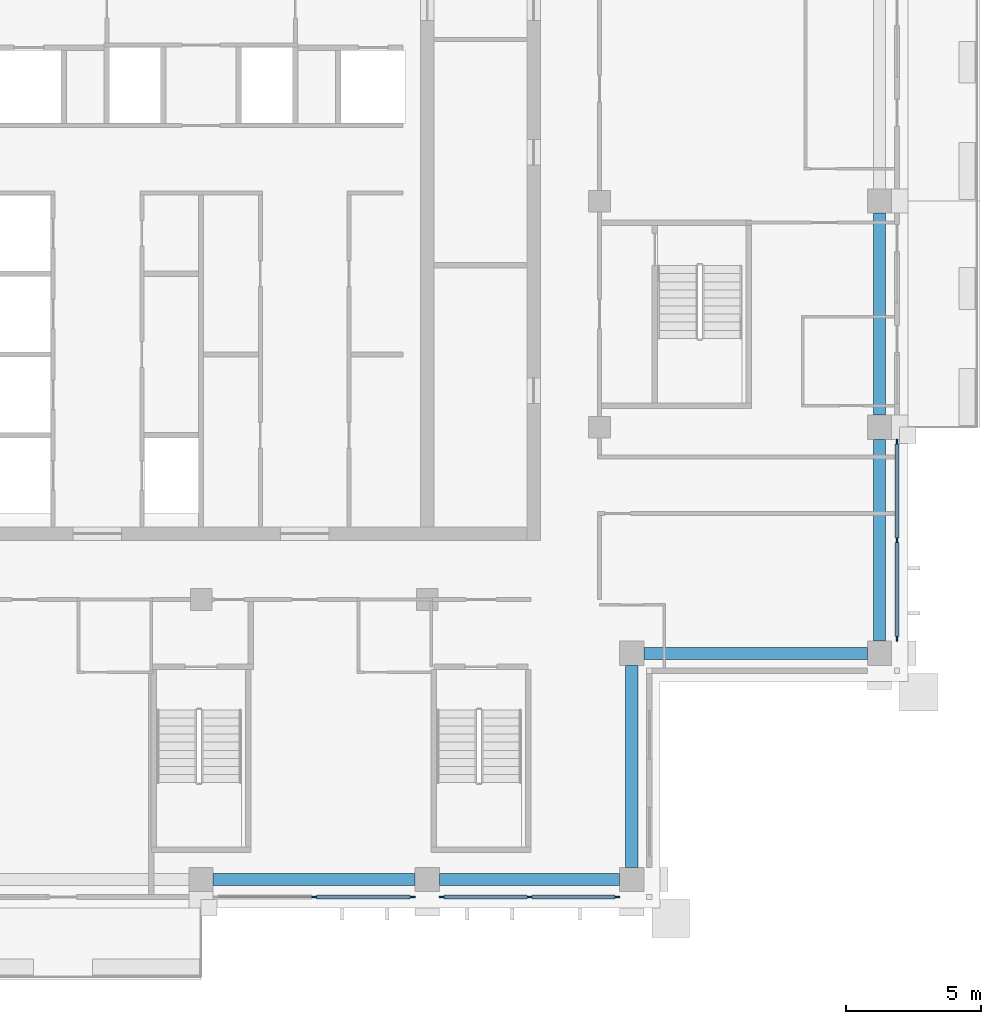
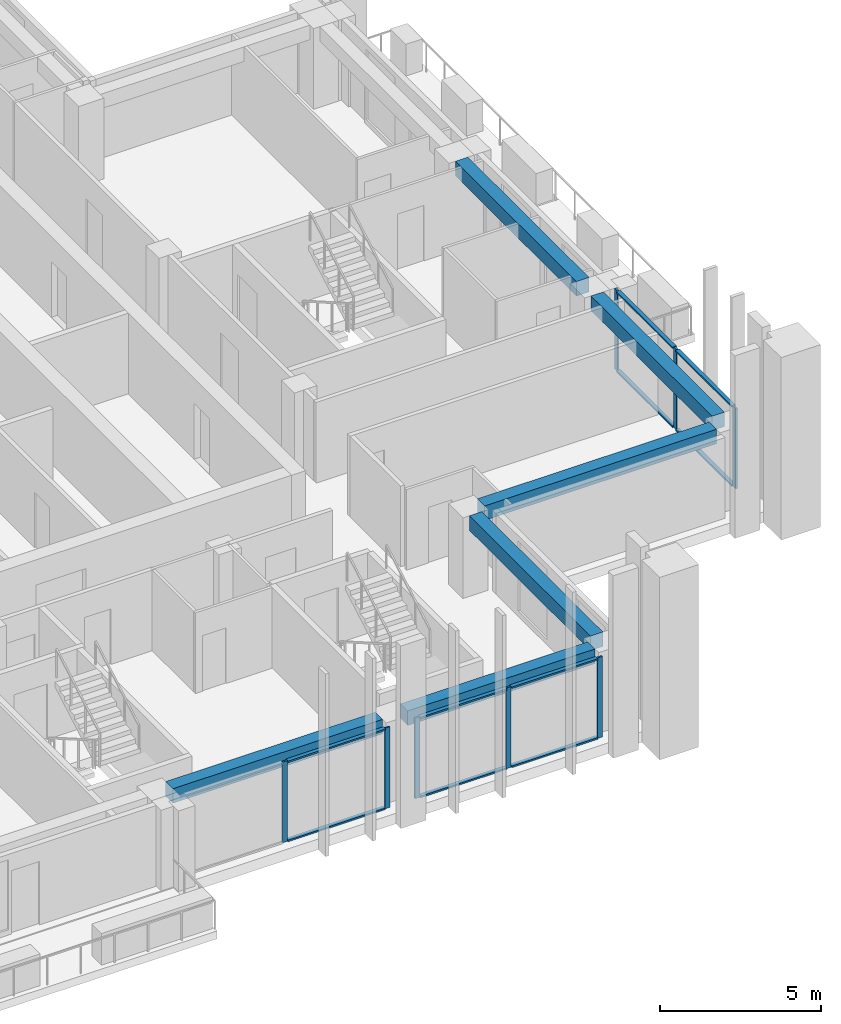
# One storey, part 4 of 16: 18 members, 6 beams, 3 elements without a shape of their own.
"""IFC4 building model written with IfcOpenShell, lengths in metres."""

from ifc_helpers import new_model, si_unit, direction, frame, origin, origin_2d, place, context, subcontext, project, spatial, rectangle, extrude, material, material_profile, profile_set, type_object, element, aggregate, save


model = new_model("IFC4")

# Units and contexts
model_context = context("Model", 3, precision=1e-05, world=origin(), true_north=direction((0.0, 1.0)))
body_context = subcontext(model_context, "Body", "Model", "MODEL_VIEW")
ifc_project = project(units=[si_unit("LENGTHUNIT", "METRE"), si_unit("AREAUNIT", "SQUARE_METRE"), si_unit("VOLUMEUNIT", "CUBIC_METRE"), si_unit("PLANEANGLEUNIT", "RADIAN"), si_unit("MASSUNIT", "GRAM", prefix="KILO")], contexts=[model_context])

# Site, building, storey
site_placement = place(None, origin())
site = spatial("IfcSite", under=ifc_project, at=site_placement, CompositionType="ELEMENT")
building_placement = place(site_placement, origin())
building = spatial("IfcBuilding", under=site, at=building_placement, Name="Vermilion Ogive Tower", CompositionType="ELEMENT")
storey_placement = place(building_placement, frame((0.0, 0.0, 247.60009765625)))
storey = spatial("IfcBuildingStorey", under=building, at=storey_placement, Name="L65", CompositionType="ELEMENT", Elevation=247.60009765625)

# Curtain wall, members
ifc_material_1 = material(Name="Low-iron laminated glazing in aluminium frame", Category="aluminium")
curtain_wall_type = type_object("IfcCurtainWallType", Name="Curtain wall CW7", PredefinedType="NOTDEFINED", material=ifc_material_1)
curtain_wall_1_placement = place(storey_placement, origin())
curtain_wall_1 = element("IfcCurtainWall", 1, at=curtain_wall_1_placement, inside=storey, type_object=curtain_wall_type, Name="Glazed skin S3", PredefinedType="NOTDEFINED")
ifc_material_2 = material(Name="Aluminium mullion", Category="aluminium")
ifc_material_profile_1 = material_profile(ifc_material_2, rectangle(XDim=0.06005859375, YDim=0.179931640625, at=origin_2d()), Name="AL 60x180")
ifc_profile_set_1 = profile_set([ifc_material_profile_1], Name="Aluminium mullion")
member_type_1 = type_object("IfcMemberType", Name="CW7 mullion 60x180", PredefinedType="MULLION", material=ifc_profile_set_1)
member_1_placement = place(storey_placement, frame((4.199951171875, -21.64990234375, 0.0), z_axis=(0.0, 0.0, 1.0), x_axis=(0.0, 1.0, 0.0)))
member_1 = element("IfcMember", 2, at=member_1_placement, type_object=member_type_1, Name="CW7-S3 mullion 2", PredefinedType="MULLION", context=body_context, shape_type="SweptSolid", body=[
    extrude(rectangle(XDim=0.06005859375, YDim=0.179931640625, at=origin_2d()), origin(), (0.0, 0.0, 1.0), 3.0498046875),
])
member_2_placement = place(storey_placement, frame((7.860107421875, -21.64990234375, 0.0), z_axis=(0.0, 0.0, 1.0), x_axis=(0.0, 1.0, 0.0)))
member_2 = element("IfcMember", 3, at=member_2_placement, type_object=member_type_1, Name="CW7-S3 mullion 3", PredefinedType="MULLION", context=body_context, shape_type="SweptSolid", body=[
    extrude(rectangle(XDim=0.06005859375, YDim=0.179931640625, at=origin_2d()), origin(), (0.0, 0.0, 1.0), 3.0498046875),
])

curtain_wall_2_placement = place(storey_placement, origin())
curtain_wall_2 = element("IfcCurtainWall", 4, at=curtain_wall_2_placement, inside=storey, type_object=curtain_wall_type, Name="Glazed skin S4", PredefinedType="NOTDEFINED")
member_3_placement = place(storey_placement, frame((8.93994140625, -21.64990234375, 0.0), z_axis=(0.0, 0.0, 1.0), x_axis=(0.0, 1.0, 0.0)))
member_3 = element("IfcMember", 5, at=member_3_placement, type_object=member_type_1, Name="CW7-S4 mullion 1", PredefinedType="MULLION", context=body_context, shape_type="SweptSolid", body=[
    extrude(rectangle(XDim=0.06005859375, YDim=0.179931640625, at=origin_2d()), origin(), (0.0, 0.0, 1.0), 3.0498046875),
])
member_4_placement = place(storey_placement, frame((12.199951171875, -21.64990234375, 0.0), z_axis=(0.0, 0.0, 1.0), x_axis=(0.0, 1.0, 0.0)))
member_4 = element("IfcMember", 6, at=member_4_placement, type_object=member_type_1, Name="CW7-S4 mullion 2", PredefinedType="MULLION", context=body_context, shape_type="SweptSolid", body=[
    extrude(rectangle(XDim=0.06005859375, YDim=0.179931640625, at=origin_2d()), origin(), (0.0, 0.0, 1.0), 3.0498046875),
])
member_5_placement = place(storey_placement, frame((15.4599609375, -21.64990234375, 0.0), z_axis=(0.0, 0.0, 1.0), x_axis=(0.0, 1.0, 0.0)))
member_5 = element("IfcMember", 7, at=member_5_placement, type_object=member_type_1, Name="CW7-S4 mullion 3", PredefinedType="MULLION", context=body_context, shape_type="SweptSolid", body=[
    extrude(rectangle(XDim=0.06005859375, YDim=0.179931640625, at=origin_2d()), origin(), (0.0, 0.0, 1.0), 3.0498046875),
])

curtain_wall_3_placement = place(storey_placement, origin())
curtain_wall_3 = element("IfcCurtainWall", 8, at=curtain_wall_3_placement, inside=storey, type_object=curtain_wall_type, Name="Glazed skin E1", PredefinedType="NOTDEFINED")
member_6_placement = place(storey_placement, frame((25.85009765625, -12.06005859375, 0.0), z_axis=(0.0, 0.0, 1.0), x_axis=(-1.0, 0.0, 0.0)))
member_6 = element("IfcMember", 9, at=member_6_placement, type_object=member_type_1, Name="CW7-E1 mullion 1", PredefinedType="MULLION", context=body_context, shape_type="SweptSolid", body=[
    extrude(rectangle(XDim=0.06005859375, YDim=0.179931640625, at=origin_2d()), origin(), (0.0, 0.0, 1.0), 3.0498046875),
])
member_7_placement = place(storey_placement, frame((25.85009765625, -8.39990234375, 0.0), z_axis=(0.0, 0.0, 1.0), x_axis=(-1.0, 0.0, 0.0)))
member_7 = element("IfcMember", 10, at=member_7_placement, type_object=member_type_1, Name="CW7-E1 mullion 2", PredefinedType="MULLION", context=body_context, shape_type="SweptSolid", body=[
    extrude(rectangle(XDim=0.06005859375, YDim=0.179931640625, at=origin_2d()), origin(), (0.0, 0.0, 1.0), 3.0498046875),
])
member_8_placement = place(storey_placement, frame((25.85009765625, -4.739990234375, 0.0), z_axis=(0.0, 0.0, 1.0), x_axis=(-1.0, 0.0, 0.0)))
member_8 = element("IfcMember", 11, at=member_8_placement, type_object=member_type_1, Name="CW7-E1 mullion 3", PredefinedType="MULLION", context=body_context, shape_type="SweptSolid", body=[
    extrude(rectangle(XDim=0.06005859375, YDim=0.179931640625, at=origin_2d()), origin(), (0.0, 0.0, 1.0), 3.0498046875),
])

# Member
ifc_material_3 = material(Name="Aluminium transom", Category="aluminium")
ifc_material_profile_2 = material_profile(ifc_material_3, rectangle(XDim=0.139892578125, YDim=0.06005859375, at=origin_2d()), Name="AL 60x140")
ifc_profile_set_2 = profile_set([ifc_material_profile_2], Name="Aluminium transom")
member_type_2 = type_object("IfcMemberType", Name="CW7 transom 60x140", PredefinedType="USERDEFINED", material=ifc_profile_set_2)
member_9_placement = place(storey_placement, frame((4.2900390625, -21.64990234375, 0.02978515625), z_axis=(1.0, 0.0, 0.0), x_axis=(0.0, 1.0, 0.0)))
member_9 = element("IfcMember", 12, at=member_9_placement, type_object=member_type_2, Name="CW7-S3 transom 2.1", ObjectType="TRANSOM", PredefinedType="USERDEFINED", context=body_context, shape_type="SweptSolid", body=[
    extrude(rectangle(XDim=0.139892578125, YDim=0.06005859375, at=origin_2d()), origin(), (0.0, 0.0, 1.0), 3.47998046875),
])

member_10_placement = place(storey_placement, frame((4.2900390625, -21.64990234375, 3.02001953125), z_axis=(1.0, 0.0, 0.0), x_axis=(0.0, 1.0, 0.0)))
member_10 = element("IfcMember", 13, at=member_10_placement, type_object=member_type_2, Name="CW7-S3 transom 2.2", ObjectType="TRANSOM", PredefinedType="USERDEFINED", context=body_context, shape_type="SweptSolid", body=[
    extrude(rectangle(XDim=0.139892578125, YDim=0.06005859375, at=origin_2d()), origin(), (0.0, 0.0, 1.0), 3.47998046875),
])

aggregate(curtain_wall_1, [member_1, member_2, member_9, member_10])

member_11_placement = place(storey_placement, frame((9.030029296875, -21.64990234375, 0.02978515625), z_axis=(1.0, 0.0, 0.0), x_axis=(0.0, 1.0, 0.0)))
member_11 = element("IfcMember", 14, at=member_11_placement, type_object=member_type_2, Name="CW7-S4 transom 1.1", ObjectType="TRANSOM", PredefinedType="USERDEFINED", context=body_context, shape_type="SweptSolid", body=[
    extrude(rectangle(XDim=0.139892578125, YDim=0.06005859375, at=origin_2d()), origin(), (0.0, 0.0, 1.0), 3.080078125),
])

member_12_placement = place(storey_placement, frame((9.030029296875, -21.64990234375, 3.02001953125), z_axis=(1.0, 0.0, 0.0), x_axis=(0.0, 1.0, 0.0)))
member_12 = element("IfcMember", 15, at=member_12_placement, type_object=member_type_2, Name="CW7-S4 transom 1.2", ObjectType="TRANSOM", PredefinedType="USERDEFINED", context=body_context, shape_type="SweptSolid", body=[
    extrude(rectangle(XDim=0.139892578125, YDim=0.06005859375, at=origin_2d()), origin(), (0.0, 0.0, 1.0), 3.080078125),
])

member_13_placement = place(storey_placement, frame((12.2900390625, -21.64990234375, 0.02978515625), z_axis=(1.0, 0.0, 0.0), x_axis=(0.0, 1.0, 0.0)))
member_13 = element("IfcMember", 16, at=member_13_placement, type_object=member_type_2, Name="CW7-S4 transom 2.1", ObjectType="TRANSOM", PredefinedType="USERDEFINED", context=body_context, shape_type="SweptSolid", body=[
    extrude(rectangle(XDim=0.139892578125, YDim=0.06005859375, at=origin_2d()), origin(), (0.0, 0.0, 1.0), 3.080078125),
])

member_14_placement = place(storey_placement, frame((12.2900390625, -21.64990234375, 3.02001953125), z_axis=(1.0, 0.0, 0.0), x_axis=(0.0, 1.0, 0.0)))
member_14 = element("IfcMember", 17, at=member_14_placement, type_object=member_type_2, Name="CW7-S4 transom 2.2", ObjectType="TRANSOM", PredefinedType="USERDEFINED", context=body_context, shape_type="SweptSolid", body=[
    extrude(rectangle(XDim=0.139892578125, YDim=0.06005859375, at=origin_2d()), origin(), (0.0, 0.0, 1.0), 3.080078125),
])

aggregate(curtain_wall_2, [member_3, member_4, member_5, member_11, member_12, member_13, member_14])

member_15_placement = place(storey_placement, frame((25.85009765625, -11.969970703125, 0.02978515625), z_axis=(0.0, 1.0, 0.0), x_axis=(-1.0, 0.0, 0.0)))
member_15 = element("IfcMember", 18, at=member_15_placement, type_object=member_type_2, Name="CW7-E1 transom 1.1", ObjectType="TRANSOM", PredefinedType="USERDEFINED", context=body_context, shape_type="SweptSolid", body=[
    extrude(rectangle(XDim=0.139892578125, YDim=0.06005859375, at=origin_2d()), origin(), (0.0, 0.0, 1.0), 3.47998046875),
])

member_16_placement = place(storey_placement, frame((25.85009765625, -11.969970703125, 3.02001953125), z_axis=(0.0, 1.0, 0.0), x_axis=(-1.0, 0.0, 0.0)))
member_16 = element("IfcMember", 19, at=member_16_placement, type_object=member_type_2, Name="CW7-E1 transom 1.2", ObjectType="TRANSOM", PredefinedType="USERDEFINED", context=body_context, shape_type="SweptSolid", body=[
    extrude(rectangle(XDim=0.139892578125, YDim=0.06005859375, at=origin_2d()), origin(), (0.0, 0.0, 1.0), 3.47998046875),
])

member_17_placement = place(storey_placement, frame((25.85009765625, -8.31005859375, 0.02978515625), z_axis=(0.0, 1.0, 0.0), x_axis=(-1.0, 0.0, 0.0)))
member_17 = element("IfcMember", 20, at=member_17_placement, type_object=member_type_2, Name="CW7-E1 transom 2.1", ObjectType="TRANSOM", PredefinedType="USERDEFINED", context=body_context, shape_type="SweptSolid", body=[
    extrude(rectangle(XDim=0.139892578125, YDim=0.06005859375, at=origin_2d()), origin(), (0.0, 0.0, 1.0), 3.47998046875),
])

member_18_placement = place(storey_placement, frame((25.85009765625, -8.31005859375, 3.02001953125), z_axis=(0.0, 1.0, 0.0), x_axis=(-1.0, 0.0, 0.0)))
member_18 = element("IfcMember", 21, at=member_18_placement, type_object=member_type_2, Name="CW7-E1 transom 2.2", ObjectType="TRANSOM", PredefinedType="USERDEFINED", context=body_context, shape_type="SweptSolid", body=[
    extrude(rectangle(XDim=0.139892578125, YDim=0.06005859375, at=origin_2d()), origin(), (0.0, 0.0, 1.0), 3.47998046875),
])

aggregate(curtain_wall_3, [member_6, member_7, member_8, member_15, member_16, member_17, member_18])

# Beams
ifc_material_4 = material(Name="Concrete B45", Category="concrete")
ifc_material_profile_3 = material_profile(ifc_material_4, rectangle(XDim=0.449951171875, YDim=0.550048828125, at=origin_2d()), Name="450 x 550")
ifc_profile_set_3 = profile_set([ifc_material_profile_3], Name="Concrete B45")
beam_type = type_object("IfcBeamType", Name="Edge beam 450 x 550 B45", PredefinedType="BEAM", material=ifc_profile_set_3)
beam_1_placement = place(storey_placement, frame((0.449951171875, -21.0, 2.77490234375), z_axis=(1.0, 0.0, 0.0), x_axis=(0.0, 1.0, 0.0)))
element("IfcBeam", 22, at=beam_1_placement, inside=storey, type_object=beam_type, Name="L65-EB-3", PredefinedType="BEAM", context=body_context, shape_type="SweptSolid", body=[
    extrude(rectangle(XDim=0.449951171875, YDim=0.550048828125, at=origin_2d()), origin(), (0.0, 0.0, 1.0), 7.5),
])
beam_2_placement = place(storey_placement, frame((8.85009765625, -21.0, 2.77490234375), z_axis=(1.0, 0.0, 0.0), x_axis=(0.0, 1.0, 0.0)))
element("IfcBeam", 23, at=beam_2_placement, inside=storey, type_object=beam_type, Name="L65-EB-4", PredefinedType="BEAM", context=body_context, shape_type="SweptSolid", body=[
    extrude(rectangle(XDim=0.449951171875, YDim=0.550048828125, at=origin_2d()), origin(), (0.0, 0.0, 1.0), 6.699951171875),
])
beam_3_placement = place(storey_placement, frame((16.0, -20.550048828125, 2.77490234375), z_axis=(0.0, 1.0, 0.0), x_axis=(-1.0, 0.0, 0.0)))
element("IfcBeam", 24, at=beam_3_placement, inside=storey, type_object=beam_type, Name="L65-EB-5", PredefinedType="BEAM", context=body_context, shape_type="SweptSolid", body=[
    extrude(rectangle(XDim=0.449951171875, YDim=0.550048828125, at=origin_2d()), origin(), (0.0, 0.0, 1.0), 7.5),
])
beam_4_placement = place(storey_placement, frame((16.449951171875, -12.60009765625, 2.77490234375), z_axis=(1.0, 0.0, 0.0), x_axis=(0.0, 1.0, 0.0)))
element("IfcBeam", 25, at=beam_4_placement, inside=storey, type_object=beam_type, Name="L65-EB-6", PredefinedType="BEAM", context=body_context, shape_type="SweptSolid", body=[
    extrude(rectangle(XDim=0.449951171875, YDim=0.550048828125, at=origin_2d()), origin(), (0.0, 0.0, 1.0), 8.300048828125),
])
for number, where, z_axis, x_axis, name in (
    (26, (25.199951171875, -12.14990234375, 2.77490234375), (0.0, 1.0, 0.0), (-1.0, 0.0, 0.0), "L65-EB-7"),
    (27, (25.199951171875, -3.75, 2.77490234375), (0.0, 1.0, 0.0), (-1.0, 0.0, 0.0), "L65-EB-8"),
):
    element("IfcBeam", number, at=place(storey_placement, frame(where, z_axis=z_axis, x_axis=x_axis)), inside=storey, type_object=beam_type, Name=name, PredefinedType="BEAM", context=body_context, shape_type="SweptSolid", body=[
        extrude(rectangle(XDim=0.449951171875, YDim=0.550048828125, at=origin_2d()), origin(), (0.0, 0.0, 1.0), 7.5),
    ])

save(model, "model.ifc")
